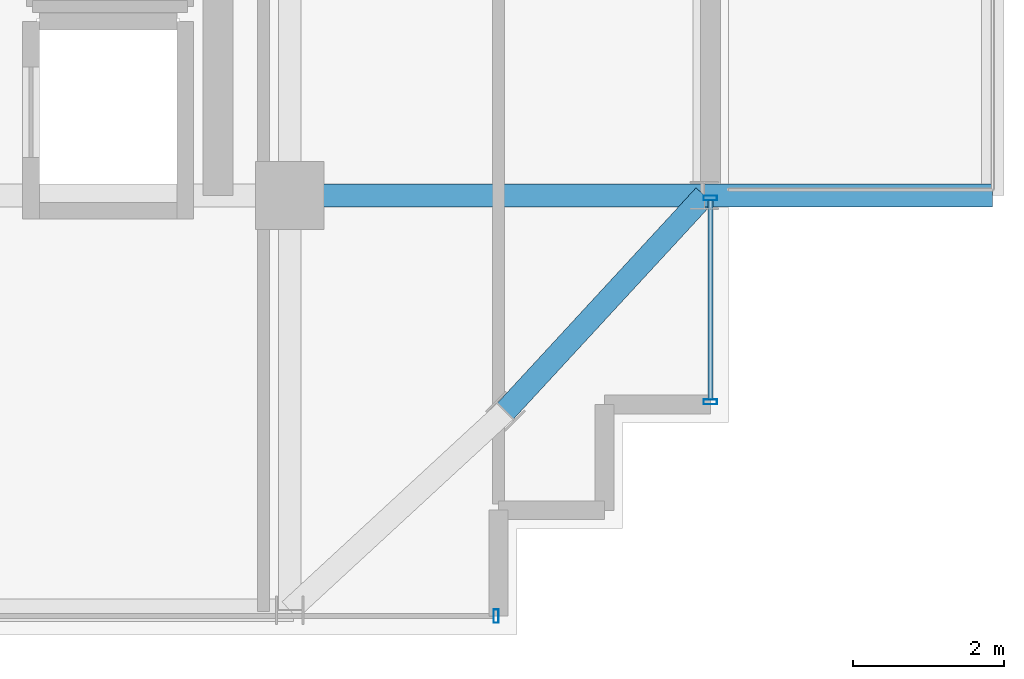
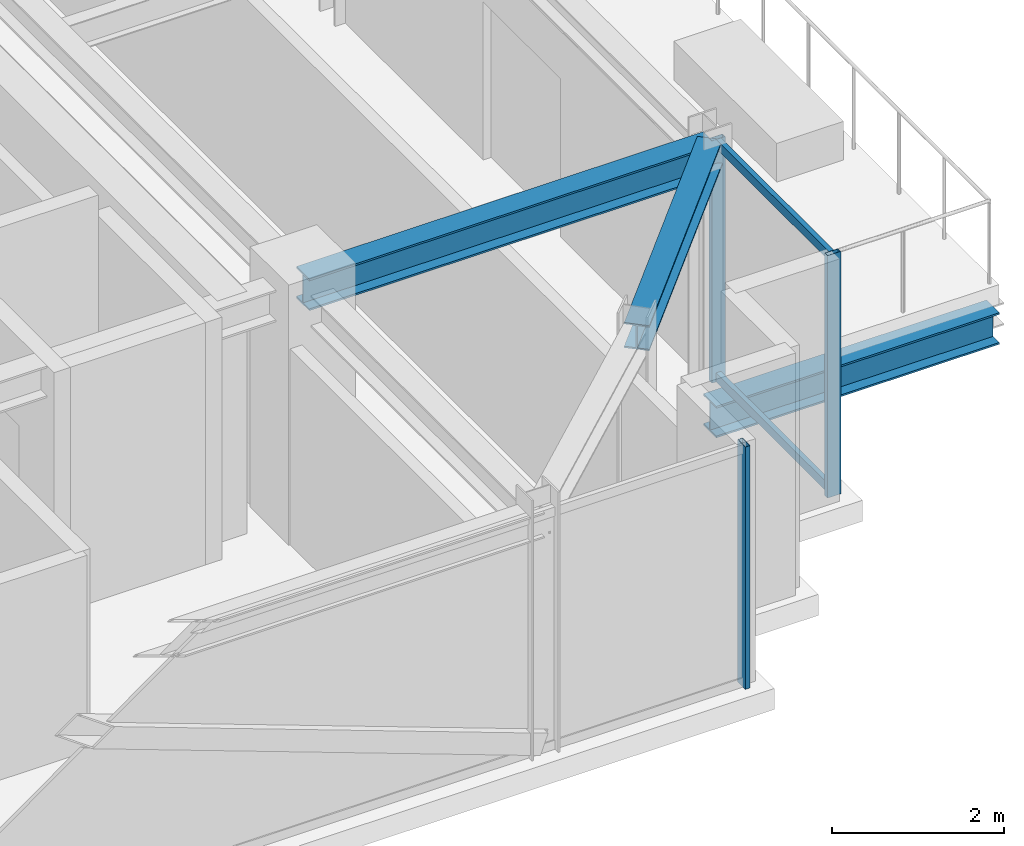
# One storey, part 12 of 31: 5 members, 3 beams, 2 elements without a shape of their own.
"""IFC4 building model written with IfcOpenShell, lengths in metres."""

import ifcopenshell
import ifcopenshell.guid

model = None  # the IFC model being written
_history = None  # IfcOwnerHistory: only IFC2X3 demands one
_inside = {}  # id of a spatial element -> (the spatial element, [elements in it])
_under = {}  # id of a project, library or spatial element -> (it, [spatial elements below it])
_declared = {}  # id of a project -> (the project, [libraries it declares])
_typed = {}  # id of a type object -> (the type object, [elements of that type])
_made_of = {}  # id of a material, layer set ... -> (it, [elements and type objects made of it])


def new_model(schema):
    """Start an empty IFC model of exactly this schema.

    Asked for "IFC4X3", IfcOpenShell would pick the latest addendum, in which some entities
    have other attributes; the version numbers below select the first issue.
    IFC2X3 requires an IfcOwnerHistory on every rooted entity: one is made here for all.
    """
    global model, _history
    if schema == "IFC4X3":
        model = ifcopenshell.file(schema_version=(4, 3, 0, 0))
    else:
        model = ifcopenshell.file(schema=schema)
    _inside.clear()
    _under.clear()
    _declared.clear()
    _typed.clear()
    _made_of.clear()
    _history = None
    if model.schema == "IFC2X3":
        org = make("IfcOrganization", Name="unknown")
        user = make(
            "IfcPersonAndOrganization",
            ThePerson=make("IfcPerson", FamilyName="unknown"),
            TheOrganization=org,
        )
        app = make(
            "IfcApplication",
            ApplicationDeveloper=org,
            Version="unknown",
            ApplicationFullName="unknown",
            ApplicationIdentifier="unknown",
        )
        _history = make(
            "IfcOwnerHistory",
            OwningUser=user,
            OwningApplication=app,
            ChangeAction="ADDED",
            CreationDate=0,
        )
    return model


def make(cls, **values):
    """One entity of the class cls with the attributes given. An attribute that is None is left unset."""
    return model.create_entity(
        cls, **{name: value for name, value in values.items() if value is not None}
    )


def rooted(cls, **values):
    """An entity with a GlobalId (a new one), such as an element, a storey or a relation."""
    return make(cls, GlobalId=ifcopenshell.guid.new(), OwnerHistory=_history, **values)


def si_unit(unit_type, name, prefix=None):
    """IfcSIUnit, for example si_unit("LENGTHUNIT", "METRE", prefix="MILLI")."""
    return make("IfcSIUnit", UnitType=unit_type, Prefix=prefix, Name=name)


def assignment(units):
    """IfcUnitAssignment: the units of a project."""
    return None if units is None else make("IfcUnitAssignment", Units=units)


def point(xyz):
    """IfcCartesianPoint."""
    return None if xyz is None else make("IfcCartesianPoint", Coordinates=xyz)


def direction(xyz):
    """IfcDirection."""
    return None if xyz is None else make("IfcDirection", DirectionRatios=xyz)


def frame(location, z_axis=None, x_axis=None):
    """IfcAxis2Placement3D, a coordinate frame: its origin and axes. An axis left out is left unset."""
    return make(
        "IfcAxis2Placement3D",
        Location=point(location),
        Axis=direction(z_axis),
        RefDirection=direction(x_axis),
    )


def frame_2d(location, x_axis=None):
    """IfcAxis2Placement2D, a coordinate frame in the plane: its origin and x axis."""
    return make(
        "IfcAxis2Placement2D", Location=point(location), RefDirection=direction(x_axis)
    )


def origin():
    """The frame at (0, 0, 0) with its axes left unset."""
    return frame((0.0, 0.0, 0.0))


def origin_2d():
    """The frame at (0, 0) in the plane with its x axis left unset."""
    return frame_2d((0.0, 0.0))


def place(relative_to, where):
    """IfcLocalPlacement: puts the frame where relative to a parent placement (None: the world)."""
    return make(
        "IfcLocalPlacement", PlacementRelTo=relative_to, RelativePlacement=where
    )


def context(
    kind, dimensions, precision=None, world=None, true_north=None, identifier=None
):
    """IfcGeometricRepresentationContext, for example the 3D "Model" context."""
    return make(
        "IfcGeometricRepresentationContext",
        ContextIdentifier=identifier,
        ContextType=kind,
        CoordinateSpaceDimension=dimensions,
        Precision=precision,
        WorldCoordinateSystem=world,
        TrueNorth=true_north,
    )


def subcontext(parent, identifier, kind, view, scale=None):
    """IfcGeometricRepresentationSubContext, for example "Body" below "Model"."""
    return make(
        "IfcGeometricRepresentationSubContext",
        ContextIdentifier=identifier,
        ContextType=kind,
        ParentContext=parent,
        TargetScale=scale,
        TargetView=view,
    )


def project(units=None, contexts=None):
    """IfcProject with its units and contexts."""
    return rooted(
        "IfcProject",
        Name="project",
        RepresentationContexts=contexts,
        UnitsInContext=assignment(units),
    )


def spatial(cls, under=None, at=None, **own):
    """A site, building, storey or space (cls), placed at a placement, below another one or the project."""
    s = rooted(cls, ObjectPlacement=at, **own)
    if under is not None:
        _under.setdefault(under.id(), (under, []))[1].append(s)
    return s


def profile(cls, at=None, kind="AREA", **sizes):
    """A parametric profile (cls). Its sizes go by their IFC names, for example OverallWidth=200.0."""
    return make(cls, ProfileType=kind, Position=at, **sizes)


def hollow_rectangle(**sizes):
    """IfcRectangleHollowProfileDef."""
    return profile("IfcRectangleHollowProfileDef", **sizes)


def i_section(**sizes):
    """IfcIShapeProfileDef."""
    return profile("IfcIShapeProfileDef", **sizes)


def extrude(swept, where, along, depth):
    """IfcExtrudedAreaSolid: the profile swept, set in the frame where, extruded along a direction by depth."""
    return make(
        "IfcExtrudedAreaSolid",
        SweptArea=swept,
        Position=where,
        ExtrudedDirection=direction(along),
        Depth=depth,
    )


def shape(context_of_items, identifier, shape_type, items):
    """IfcShapeRepresentation: the items that make up one representation, for example the "Body"."""
    return make(
        "IfcShapeRepresentation",
        ContextOfItems=context_of_items,
        RepresentationIdentifier=identifier,
        RepresentationType=shape_type,
        Items=items,
    )


def source(mapping_origin, context_of_items, identifier, shape_type, items):
    """IfcRepresentationMap: a shape defined once, which mapped items show again and again."""
    return make(
        "IfcRepresentationMap",
        MappingOrigin=mapping_origin,
        MappedRepresentation=shape(context_of_items, identifier, shape_type, items),
    )


def transform(
    local_origin,
    x_axis=None,
    y_axis=None,
    z_axis=None,
    scale=None,
    scale2=None,
    scale3=None,
    uniform=True,
):
    """IfcCartesianTransformationOperator3D, or its non-uniform kind. x_axis, y_axis, z_axis: its Axis1, 2, 3."""
    if uniform:
        return make(
            "IfcCartesianTransformationOperator3D",
            Axis1=direction(x_axis),
            Axis2=direction(y_axis),
            LocalOrigin=point(local_origin),
            Scale=scale,
            Axis3=direction(z_axis),
        )
    return make(
        "IfcCartesianTransformationOperator3DnonUniform",
        Axis1=direction(x_axis),
        Axis2=direction(y_axis),
        LocalOrigin=point(local_origin),
        Scale=scale,
        Axis3=direction(z_axis),
        Scale2=scale2,
        Scale3=scale3,
    )


def mapped(mapping_source, mapping_target):
    """IfcMappedItem: shows the shape of a source again, moved by a transform."""
    return make(
        "IfcMappedItem", MappingSource=mapping_source, MappingTarget=mapping_target
    )


def material(Name=None, Category=None):
    """IfcMaterial."""
    return make("IfcMaterial", Name=Name, Category=Category)


def material_profile(
    of_material, cross_section, Name=None, Category=None, Priority=None
):
    """IfcMaterialProfile: a cross section and its material."""
    return make(
        "IfcMaterialProfile",
        Name=Name,
        Material=of_material,
        Profile=cross_section,
        Priority=Priority,
        Category=Category,
    )


def profile_set(profiles, Name=None, composite=None):
    """IfcMaterialProfileSet."""
    return make(
        "IfcMaterialProfileSet",
        Name=Name,
        MaterialProfiles=profiles,
        CompositeProfile=composite,
    )


def made_of(thing, what):
    """Note that an element or type object is made of a material, layer set ...; save() writes the relation."""
    if what is not None:
        _made_of.setdefault(what.id(), (what, []))[1].append(thing)
    return thing


def type_object(cls, material=None, **own):
    """A type object (cls), such as IfcWallType, which elements share."""
    return made_of(rooted(cls, **own), material)


def element(
    cls,
    number,
    at=None,
    inside=None,
    cuts=None,
    type_object=None,
    material=None,
    context=None,
    identifier="Body",
    shape_type=None,
    held_by="IfcProductDefinitionShape",
    body=None,
    shapes=None,
    **own,
):
    """One element of the class cls, such as IfcWall. Its Tag is "e" and its number.

    at: its placement. inside: the storey or other place that contains it. cuts: it is an
    opening in that element (IfcRelVoidsElement). A single representation is given by context,
    identifier, shape_type and body (its items); several are given by shapes. held_by: the class
    of the entity that holds the representations. save() writes the other relations.
    """
    e = rooted(cls, Tag="e%d" % number, ObjectPlacement=at, **own)
    if body is not None:
        shapes = [shape(context, identifier, shape_type, body)]
    if shapes is not None:
        e.Representation = make(held_by, Representations=shapes)
    if inside is not None:
        _inside.setdefault(inside.id(), (inside, []))[1].append(e)
    if cuts is not None:
        rooted(
            "IfcRelVoidsElement", RelatingBuildingElement=cuts, RelatedOpeningElement=e
        )
    if type_object is not None:
        _typed.setdefault(type_object.id(), (type_object, []))[1].append(e)
    return made_of(e, material)


def aggregate(whole, parts):
    """IfcRelAggregates: a whole, such as a stair, and the parts it consists of."""
    return rooted("IfcRelAggregates", RelatingObject=whole, RelatedObjects=parts)


def save(model, path):
    """Write the relations noted so far, then the file.

    IfcRelAggregates (storeys below a building ...), IfcRelContainedInSpatialStructure (elements
    in a storey), IfcRelDefinesByType, IfcRelAssociatesMaterial and IfcRelDeclares: one each for
    every whole, place, type object, material and project.
    """
    for whole, parts in _under.values():
        aggregate(whole, parts)
    for where, things in _inside.values():
        rooted(
            "IfcRelContainedInSpatialStructure",
            RelatedElements=things,
            RelatingStructure=where,
        )
    for kind, things in _typed.values():
        rooted("IfcRelDefinesByType", RelatedObjects=things, RelatingType=kind)
    for what, things in _made_of.values():
        rooted("IfcRelAssociatesMaterial", RelatedObjects=things, RelatingMaterial=what)
    for by, libraries in _declared.values():
        rooted("IfcRelDeclares", RelatingContext=by, RelatedDefinitions=libraries)
    model.write(path)


model = new_model("IFC4")

# Units and contexts
model_context = context("Model", 3, precision=1e-05, world=origin(), true_north=direction((0.0, 1.0)))
body_context = subcontext(model_context, "Body", "Model", "MODEL_VIEW")
ifc_project = project(units=[si_unit("LENGTHUNIT", "METRE"), si_unit("AREAUNIT", "SQUARE_METRE"), si_unit("VOLUMEUNIT", "CUBIC_METRE"), si_unit("PLANEANGLEUNIT", "RADIAN"), si_unit("MASSUNIT", "GRAM", prefix="KILO")], contexts=[model_context])

# Site, building, storey
site_placement = place(None, origin())
site = spatial("IfcSite", under=ifc_project, at=site_placement, CompositionType="ELEMENT")
building_placement = place(site_placement, origin())
building = spatial("IfcBuilding", under=site, at=building_placement, Name="Nahalor Promenade Grand Hotel", CompositionType="ELEMENT")
storey_placement = place(building_placement, frame((0.0, 0.0, 281.300048828125)))
storey = spatial("IfcBuildingStorey", under=building, at=storey_placement, Name="L72", CompositionType="ELEMENT", Elevation=281.300048828125)

# Beams
ifc_material_1 = material(Name="Steel S355JR", Category="steel")
ifc_material_profile_1 = material_profile(ifc_material_1, i_section(OverallWidth=0.3, OverallDepth=0.45, WebThickness=0.014, FlangeThickness=0.026, at=origin_2d()), Name="HEB 450")
ifc_profile_set_1 = profile_set([ifc_material_profile_1], Name="Steel S355JR")
beam_type_1 = type_object("IfcBeamType", Name="Beam-Outrigger-HEB450", PredefinedType="BEAM", material=ifc_profile_set_1)
shared_shape_1 = source(origin(), body_context, "Body", "SweptSolid", [
    extrude(i_section(OverallWidth=0.3, OverallDepth=0.45, WebThickness=0.014, FlangeThickness=0.026, at=origin_2d()), origin(), (0.0, 0.0, 1.0), 3.81005859375),
])
beam_1_placement = place(storey_placement, frame((22.47998046875, -17.0, -0.505126953125), z_axis=(1.0, 0.0, 0.0), x_axis=(0.0, 1.0, 0.0)))
element("IfcBeam", 1, at=beam_1_placement, inside=storey, type_object=beam_type_1, Name="BM-L72-BC-02-1", PredefinedType="BEAM", context=body_context, shape_type="MappedRepresentation", body=[
    mapped(shared_shape_1, transform((0.0, 0.0, 0.0), scale=1.0)),
])
ifc_material_profile_2 = material_profile(ifc_material_1, i_section(OverallWidth=0.3, OverallDepth=0.45, WebThickness=0.014, FlangeThickness=0.026, at=origin_2d()), Name="HEB 450")
ifc_profile_set_2 = profile_set([ifc_material_profile_2], Name="Steel S355JR")
beam_type_2 = type_object("IfcBeamType", Name="Beam-Girder-HEB450", PredefinedType="BEAM", material=ifc_profile_set_2)
shared_shape_2 = source(origin(), body_context, "Body", "SweptSolid", [
    extrude(i_section(OverallWidth=0.3, OverallDepth=0.45, WebThickness=0.014, FlangeThickness=0.026, at=origin_2d()), origin(), (0.0, 0.0, 1.0), 5.47998046875),
])
beam_2_placement = place(storey_placement, frame((17.0, -17.0, 3.224853515625), z_axis=(1.0, 0.0, 0.0), x_axis=(0.0, 1.0, 0.0)))
element("IfcBeam", 2, at=beam_2_placement, inside=storey, type_object=beam_type_2, Name="BM-L72-GX-0-6", PredefinedType="BEAM", context=body_context, shape_type="MappedRepresentation", body=[
    mapped(shared_shape_2, transform((0.0, 0.0, 0.0), scale=1.0)),
])
ifc_material_profile_3 = material_profile(ifc_material_1, i_section(OverallWidth=0.3, OverallDepth=0.36, WebThickness=0.0125, FlangeThickness=0.0225, at=origin_2d()), Name="HEB 360")
ifc_profile_set_3 = profile_set([ifc_material_profile_3], Name="Steel S355JR")
beam_type_3 = type_object("IfcBeamType", Name="Beam-Spandrel-HEB360", PredefinedType="SPANDREL", material=ifc_profile_set_3)
shared_shape_3 = source(origin(), body_context, "Body", "SweptSolid", [
    extrude(i_section(OverallWidth=0.3, OverallDepth=0.36, WebThickness=0.0125, FlangeThickness=0.0225, at=origin_2d()), origin(), (0.0, 0.0, 1.0), 3.878173828125),
])
beam_3_placement = place(storey_placement, frame((19.85009765625, -19.85009765625, 3.27001953125), z_axis=(0.678144125843, 0.73492893846, 0.0), x_axis=(-0.73492893846, 0.678144125843, 0.0)))
element("IfcBeam", 3, at=beam_3_placement, inside=storey, type_object=beam_type_3, Name="BM-L72-SPC-SE-2", PredefinedType="SPANDREL", context=body_context, shape_type="MappedRepresentation", body=[
    mapped(shared_shape_3, transform((0.0, 0.0, 0.0), scale=1.0)),
])

# Curtain wall, members
ifc_material_2 = material(Name="Anodised Bronze Aluminium EN AW-6063 T6", Category="aluminium")
curtain_wall_type = type_object("IfcCurtainWallType", Name="CW2 Typical Hotel Flush Bronze Unitised Curtain Wall", PredefinedType="USERDEFINED", material=ifc_material_2)
curtain_wall_1_placement = place(storey_placement, origin())
curtain_wall_1 = element("IfcCurtainWall", 4, at=curtain_wall_1_placement, inside=storey, type_object=curtain_wall_type, Name="L72 Curtain Wall CW-L72-E-1", ObjectType="UNITISED_CURTAIN_WALL", PredefinedType="USERDEFINED")
ifc_material_profile_4 = material_profile(ifc_material_2, hollow_rectangle(XDim=0.065, YDim=0.13, WallThickness=0.004, at=origin_2d()), Name="CWT 65x130x4")
ifc_profile_set_4 = profile_set([ifc_material_profile_4], Name="Anodised Bronze Aluminium EN AW-6063 T6")
member_type_1 = type_object("IfcMemberType", Name="CWT2 Typical Bronze Transom 65x130", PredefinedType="USERDEFINED", material=ifc_profile_set_4)
shared_shape_4 = source(origin(), body_context, "Body", "SweptSolid", [
    extrude(hollow_rectangle(XDim=0.065, YDim=0.13, WallThickness=0.004, at=origin_2d()), origin(), (0.0, 0.0, 1.0), 2.630126953125),
])
member_1_placement = place(storey_placement, frame((22.56005859375, -19.695068359375, 0.06494140625), z_axis=(0.0, 1.0, 0.0), x_axis=(-1.0, 0.0, 0.0)))
member_1 = element("IfcMember", 5, at=member_1_placement, type_object=member_type_1, Name="CW-L72-E-1 Transom 0-0", ObjectType="TRANSOM", PredefinedType="USERDEFINED", context=body_context, shape_type="MappedRepresentation", body=[
    mapped(shared_shape_4, transform((0.0, 0.0, 0.0), scale=1.0)),
])
member_2_placement = place(storey_placement, frame((22.56005859375, -19.695068359375, 3.385009765625), z_axis=(0.0, 1.0, 0.0), x_axis=(-1.0, 0.0, 0.0)))
member_2 = element("IfcMember", 6, at=member_2_placement, type_object=member_type_1, Name="CW-L72-E-1 Transom 0-1", ObjectType="TRANSOM", PredefinedType="USERDEFINED", context=body_context, shape_type="MappedRepresentation", body=[
    mapped(shared_shape_4, transform((0.0, 0.0, 0.0), scale=1.0)),
])

# Curtain wall, member
curtain_wall_2_placement = place(storey_placement, origin())
curtain_wall_2 = element("IfcCurtainWall", 7, at=curtain_wall_2_placement, inside=storey, type_object=curtain_wall_type, Name="L72 Curtain Wall CW-L72-S-1", ObjectType="UNITISED_CURTAIN_WALL", PredefinedType="USERDEFINED")
ifc_material_profile_5 = material_profile(ifc_material_2, hollow_rectangle(XDim=0.065, YDim=0.18, WallThickness=0.004, at=origin_2d()), Name="CWM 65x180x4")
ifc_profile_set_5 = profile_set([ifc_material_profile_5], Name="Anodised Bronze Aluminium EN AW-6063 T6")
member_type_2 = type_object("IfcMemberType", Name="CWM2 Typical Bronze Mullion 65x180", PredefinedType="MULLION", material=ifc_profile_set_5)
shared_shape_5 = source(origin(), body_context, "Body", "SweptSolid", [
    extrude(hollow_rectangle(XDim=0.065, YDim=0.18, WallThickness=0.004, at=origin_2d()), origin(), (0.0, 0.0, 1.0), 3.449951171875),
])
member_3_placement = place(storey_placement, frame((19.7275390625, -22.56005859375, 0.0), z_axis=(0.0, 0.0, 1.0), x_axis=(1.0, 0.0, 0.0)))
member_3 = element("IfcMember", 8, at=member_3_placement, type_object=member_type_2, Name="CW-L72-S-1 Mullion 3", PredefinedType="MULLION", context=body_context, shape_type="MappedRepresentation", body=[
    mapped(shared_shape_5, transform((0.0, 0.0, 0.0), scale=1.0)),
])
aggregate(curtain_wall_2, [member_3])

# Member
member_4_placement = place(storey_placement, frame((22.56005859375, -19.7275390625, 0.0), z_axis=(0.0, 0.0, 1.0), x_axis=(0.0, 1.0, 0.0)))
member_4 = element("IfcMember", 9, at=member_4_placement, type_object=member_type_2, Name="CW-L72-E-1 Mullion 0", PredefinedType="MULLION", context=body_context, shape_type="MappedRepresentation", body=[
    mapped(shared_shape_5, transform((0.0, 0.0, 0.0), scale=1.0)),
])

member_5_placement = place(storey_placement, frame((22.56005859375, -17.032470703125, 0.0), z_axis=(0.0, 0.0, 1.0), x_axis=(0.0, 1.0, 0.0)))
member_5 = element("IfcMember", 10, at=member_5_placement, type_object=member_type_2, Name="CW-L72-E-1 Mullion 1", PredefinedType="MULLION", context=body_context, shape_type="MappedRepresentation", body=[
    mapped(shared_shape_5, transform((0.0, 0.0, 0.0), scale=1.0)),
])

aggregate(curtain_wall_1, [member_4, member_5, member_1, member_2])

save(model, "model.ifc")
